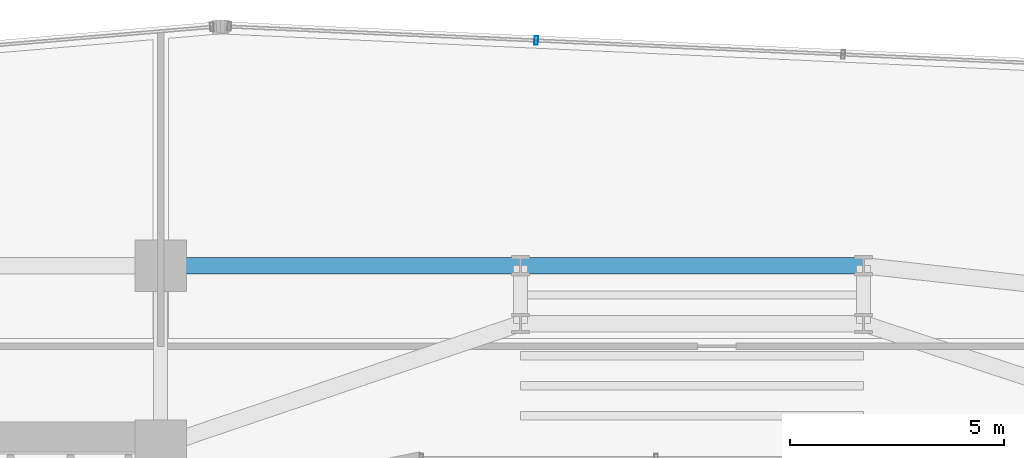
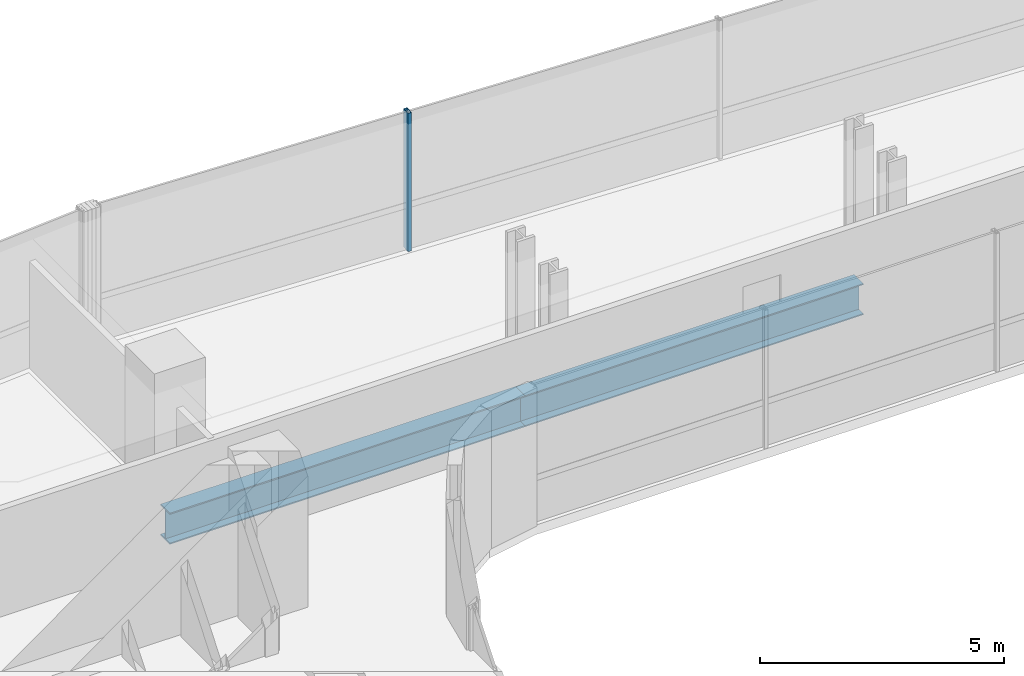
# One storey, part 21 of 35: 2 beams, 1 member, 1 element without a shape of its own.
"""IFC4 building model written with IfcOpenShell, lengths in metres."""

import ifcopenshell
import ifcopenshell.guid

model = None  # the IFC model being written
_history = None  # IfcOwnerHistory: only IFC2X3 demands one
_inside = {}  # id of a spatial element -> (the spatial element, [elements in it])
_under = {}  # id of a project, library or spatial element -> (it, [spatial elements below it])
_declared = {}  # id of a project -> (the project, [libraries it declares])
_typed = {}  # id of a type object -> (the type object, [elements of that type])
_made_of = {}  # id of a material, layer set ... -> (it, [elements and type objects made of it])


def new_model(schema):
    """Start an empty IFC model of exactly this schema.

    Asked for "IFC4X3", IfcOpenShell would pick the latest addendum, in which some entities
    have other attributes; the version numbers below select the first issue.
    IFC2X3 requires an IfcOwnerHistory on every rooted entity: one is made here for all.
    """
    global model, _history
    if schema == "IFC4X3":
        model = ifcopenshell.file(schema_version=(4, 3, 0, 0))
    else:
        model = ifcopenshell.file(schema=schema)
    _inside.clear()
    _under.clear()
    _declared.clear()
    _typed.clear()
    _made_of.clear()
    _history = None
    if model.schema == "IFC2X3":
        org = make("IfcOrganization", Name="unknown")
        user = make(
            "IfcPersonAndOrganization",
            ThePerson=make("IfcPerson", FamilyName="unknown"),
            TheOrganization=org,
        )
        app = make(
            "IfcApplication",
            ApplicationDeveloper=org,
            Version="unknown",
            ApplicationFullName="unknown",
            ApplicationIdentifier="unknown",
        )
        _history = make(
            "IfcOwnerHistory",
            OwningUser=user,
            OwningApplication=app,
            ChangeAction="ADDED",
            CreationDate=0,
        )
    return model


def make(cls, **values):
    """One entity of the class cls with the attributes given. An attribute that is None is left unset."""
    return model.create_entity(
        cls, **{name: value for name, value in values.items() if value is not None}
    )


def rooted(cls, **values):
    """An entity with a GlobalId (a new one), such as an element, a storey or a relation."""
    return make(cls, GlobalId=ifcopenshell.guid.new(), OwnerHistory=_history, **values)


def si_unit(unit_type, name, prefix=None):
    """IfcSIUnit, for example si_unit("LENGTHUNIT", "METRE", prefix="MILLI")."""
    return make("IfcSIUnit", UnitType=unit_type, Prefix=prefix, Name=name)


def assignment(units):
    """IfcUnitAssignment: the units of a project."""
    return None if units is None else make("IfcUnitAssignment", Units=units)


def point(xyz):
    """IfcCartesianPoint."""
    return None if xyz is None else make("IfcCartesianPoint", Coordinates=xyz)


def direction(xyz):
    """IfcDirection."""
    return None if xyz is None else make("IfcDirection", DirectionRatios=xyz)


def frame(location, z_axis=None, x_axis=None):
    """IfcAxis2Placement3D, a coordinate frame: its origin and axes. An axis left out is left unset."""
    return make(
        "IfcAxis2Placement3D",
        Location=point(location),
        Axis=direction(z_axis),
        RefDirection=direction(x_axis),
    )


def frame_2d(location, x_axis=None):
    """IfcAxis2Placement2D, a coordinate frame in the plane: its origin and x axis."""
    return make(
        "IfcAxis2Placement2D", Location=point(location), RefDirection=direction(x_axis)
    )


def origin():
    """The frame at (0, 0, 0) with its axes left unset."""
    return frame((0.0, 0.0, 0.0))


def origin_2d():
    """The frame at (0, 0) in the plane with its x axis left unset."""
    return frame_2d((0.0, 0.0))


def place(relative_to, where):
    """IfcLocalPlacement: puts the frame where relative to a parent placement (None: the world)."""
    return make(
        "IfcLocalPlacement", PlacementRelTo=relative_to, RelativePlacement=where
    )


def context(
    kind, dimensions, precision=None, world=None, true_north=None, identifier=None
):
    """IfcGeometricRepresentationContext, for example the 3D "Model" context."""
    return make(
        "IfcGeometricRepresentationContext",
        ContextIdentifier=identifier,
        ContextType=kind,
        CoordinateSpaceDimension=dimensions,
        Precision=precision,
        WorldCoordinateSystem=world,
        TrueNorth=true_north,
    )


def subcontext(parent, identifier, kind, view, scale=None):
    """IfcGeometricRepresentationSubContext, for example "Body" below "Model"."""
    return make(
        "IfcGeometricRepresentationSubContext",
        ContextIdentifier=identifier,
        ContextType=kind,
        ParentContext=parent,
        TargetScale=scale,
        TargetView=view,
    )


def project(units=None, contexts=None):
    """IfcProject with its units and contexts."""
    return rooted(
        "IfcProject",
        Name="project",
        RepresentationContexts=contexts,
        UnitsInContext=assignment(units),
    )


def spatial(cls, under=None, at=None, **own):
    """A site, building, storey or space (cls), placed at a placement, below another one or the project."""
    s = rooted(cls, ObjectPlacement=at, **own)
    if under is not None:
        _under.setdefault(under.id(), (under, []))[1].append(s)
    return s


def profile(cls, at=None, kind="AREA", **sizes):
    """A parametric profile (cls). Its sizes go by their IFC names, for example OverallWidth=200.0."""
    return make(cls, ProfileType=kind, Position=at, **sizes)


def hollow_rectangle(**sizes):
    """IfcRectangleHollowProfileDef."""
    return profile("IfcRectangleHollowProfileDef", **sizes)


def i_section(**sizes):
    """IfcIShapeProfileDef."""
    return profile("IfcIShapeProfileDef", **sizes)


def extrude(swept, where, along, depth):
    """IfcExtrudedAreaSolid: the profile swept, set in the frame where, extruded along a direction by depth."""
    return make(
        "IfcExtrudedAreaSolid",
        SweptArea=swept,
        Position=where,
        ExtrudedDirection=direction(along),
        Depth=depth,
    )


def shape(context_of_items, identifier, shape_type, items):
    """IfcShapeRepresentation: the items that make up one representation, for example the "Body"."""
    return make(
        "IfcShapeRepresentation",
        ContextOfItems=context_of_items,
        RepresentationIdentifier=identifier,
        RepresentationType=shape_type,
        Items=items,
    )


def source(mapping_origin, context_of_items, identifier, shape_type, items):
    """IfcRepresentationMap: a shape defined once, which mapped items show again and again."""
    return make(
        "IfcRepresentationMap",
        MappingOrigin=mapping_origin,
        MappedRepresentation=shape(context_of_items, identifier, shape_type, items),
    )


def transform(
    local_origin,
    x_axis=None,
    y_axis=None,
    z_axis=None,
    scale=None,
    scale2=None,
    scale3=None,
    uniform=True,
):
    """IfcCartesianTransformationOperator3D, or its non-uniform kind. x_axis, y_axis, z_axis: its Axis1, 2, 3."""
    if uniform:
        return make(
            "IfcCartesianTransformationOperator3D",
            Axis1=direction(x_axis),
            Axis2=direction(y_axis),
            LocalOrigin=point(local_origin),
            Scale=scale,
            Axis3=direction(z_axis),
        )
    return make(
        "IfcCartesianTransformationOperator3DnonUniform",
        Axis1=direction(x_axis),
        Axis2=direction(y_axis),
        LocalOrigin=point(local_origin),
        Scale=scale,
        Axis3=direction(z_axis),
        Scale2=scale2,
        Scale3=scale3,
    )


def mapped(mapping_source, mapping_target):
    """IfcMappedItem: shows the shape of a source again, moved by a transform."""
    return make(
        "IfcMappedItem", MappingSource=mapping_source, MappingTarget=mapping_target
    )


def material(Name=None, Category=None):
    """IfcMaterial."""
    return make("IfcMaterial", Name=Name, Category=Category)


def material_profile(
    of_material, cross_section, Name=None, Category=None, Priority=None
):
    """IfcMaterialProfile: a cross section and its material."""
    return make(
        "IfcMaterialProfile",
        Name=Name,
        Material=of_material,
        Profile=cross_section,
        Priority=Priority,
        Category=Category,
    )


def profile_set(profiles, Name=None, composite=None):
    """IfcMaterialProfileSet."""
    return make(
        "IfcMaterialProfileSet",
        Name=Name,
        MaterialProfiles=profiles,
        CompositeProfile=composite,
    )


def made_of(thing, what):
    """Note that an element or type object is made of a material, layer set ...; save() writes the relation."""
    if what is not None:
        _made_of.setdefault(what.id(), (what, []))[1].append(thing)
    return thing


def type_object(cls, material=None, **own):
    """A type object (cls), such as IfcWallType, which elements share."""
    return made_of(rooted(cls, **own), material)


def element(
    cls,
    number,
    at=None,
    inside=None,
    cuts=None,
    type_object=None,
    material=None,
    context=None,
    identifier="Body",
    shape_type=None,
    held_by="IfcProductDefinitionShape",
    body=None,
    shapes=None,
    **own,
):
    """One element of the class cls, such as IfcWall. Its Tag is "e" and its number.

    at: its placement. inside: the storey or other place that contains it. cuts: it is an
    opening in that element (IfcRelVoidsElement). A single representation is given by context,
    identifier, shape_type and body (its items); several are given by shapes. held_by: the class
    of the entity that holds the representations. save() writes the other relations.
    """
    e = rooted(cls, Tag="e%d" % number, ObjectPlacement=at, **own)
    if body is not None:
        shapes = [shape(context, identifier, shape_type, body)]
    if shapes is not None:
        e.Representation = make(held_by, Representations=shapes)
    if inside is not None:
        _inside.setdefault(inside.id(), (inside, []))[1].append(e)
    if cuts is not None:
        rooted(
            "IfcRelVoidsElement", RelatingBuildingElement=cuts, RelatedOpeningElement=e
        )
    if type_object is not None:
        _typed.setdefault(type_object.id(), (type_object, []))[1].append(e)
    return made_of(e, material)


def aggregate(whole, parts):
    """IfcRelAggregates: a whole, such as a stair, and the parts it consists of."""
    return rooted("IfcRelAggregates", RelatingObject=whole, RelatedObjects=parts)


def save(model, path):
    """Write the relations noted so far, then the file.

    IfcRelAggregates (storeys below a building ...), IfcRelContainedInSpatialStructure (elements
    in a storey), IfcRelDefinesByType, IfcRelAssociatesMaterial and IfcRelDeclares: one each for
    every whole, place, type object, material and project.
    """
    for whole, parts in _under.values():
        aggregate(whole, parts)
    for where, things in _inside.values():
        rooted(
            "IfcRelContainedInSpatialStructure",
            RelatedElements=things,
            RelatingStructure=where,
        )
    for kind, things in _typed.values():
        rooted("IfcRelDefinesByType", RelatedObjects=things, RelatingType=kind)
    for what, things in _made_of.values():
        rooted("IfcRelAssociatesMaterial", RelatedObjects=things, RelatingMaterial=what)
    for by, libraries in _declared.values():
        rooted("IfcRelDeclares", RelatingContext=by, RelatedDefinitions=libraries)
    model.write(path)


model = new_model("IFC4")

# Units and contexts
model_context = context("Model", 3, precision=1e-05, world=origin(), true_north=direction((0.0, 1.0)))
body_context = subcontext(model_context, "Body", "Model", "MODEL_VIEW")
ifc_project = project(units=[si_unit("LENGTHUNIT", "METRE"), si_unit("AREAUNIT", "SQUARE_METRE"), si_unit("VOLUMEUNIT", "CUBIC_METRE"), si_unit("PLANEANGLEUNIT", "RADIAN"), si_unit("MASSUNIT", "GRAM", prefix="KILO")], contexts=[model_context])

# Site, building, storey
site_placement = place(None, origin())
site = spatial("IfcSite", under=ifc_project, at=site_placement, CompositionType="ELEMENT")
building_placement = place(site_placement, origin())
building = spatial("IfcBuilding", under=site, at=building_placement, Name="Valdorenza Pilgrim Sanctuary Tower", CompositionType="ELEMENT")
storey_placement = place(building_placement, frame((0.0, 0.0, 124.199951171875)))
storey = spatial("IfcBuildingStorey", under=building, at=storey_placement, Name="L31", CompositionType="ELEMENT", Elevation=124.199951171875)

# Beams
ifc_material_1 = material(Name="Steel ASTM A992 Grade 50", Category="steel")
ifc_material_profile_1 = material_profile(ifc_material_1, i_section(OverallWidth=0.382080078125, OverallDepth=0.779052734375, WebThickness=0.01806640625, FlangeThickness=0.030029296875, at=origin_2d()), Name="W30X191")
ifc_profile_set_1 = profile_set([ifc_material_profile_1], Name="Steel ASTM A992 Grade 50")
beam_type = type_object("IfcBeamType", Name="STR-BM-GRD-W30", PredefinedType="BEAM", material=ifc_profile_set_1)
shared_shape_1 = source(origin(), body_context, "Body", "SweptSolid", [
    extrude(i_section(OverallWidth=0.382080078125, OverallDepth=0.779052734375, WebThickness=0.01806640625, FlangeThickness=0.030029296875, at=origin_2d()), origin(), (0.0, 0.0, 1.0), 8.0),
])
beam_1_placement = place(storey_placement, frame((-4.0, 14.800048828125, -0.62939453125), z_axis=(1.0, 0.0, 0.0), x_axis=(0.0, 1.0, 0.0)))
element("IfcBeam", 1, at=beam_1_placement, inside=storey, type_object=beam_type, Name="L31 Floor Girder KNK-G5", PredefinedType="BEAM", context=body_context, shape_type="MappedRepresentation", body=[
    mapped(shared_shape_1, transform((0.0, 0.0, 0.0), x_axis=(1.0, 0.0, 0.0), y_axis=(0.0, 1.0, 0.0), z_axis=(0.0, 0.0, 1.0), scale=1.0)),
])
shared_shape_2 = source(origin(), body_context, "Body", "SweptSolid", [
    extrude(i_section(OverallWidth=0.382080078125, OverallDepth=0.779052734375, WebThickness=0.01806640625, FlangeThickness=0.030029296875, at=origin_2d()), origin(), (0.0, 0.0, 1.0), 8.39990234375),
])
beam_2_placement = place(storey_placement, frame((-12.39990234375, 14.800048828125, -0.62939453125), z_axis=(1.0, 0.0, 0.0), x_axis=(0.0, 1.0, 0.0)))
element("IfcBeam", 2, at=beam_2_placement, inside=storey, type_object=beam_type, Name="L31 Floor Girder KNK-G4", PredefinedType="BEAM", context=body_context, shape_type="MappedRepresentation", body=[
    mapped(shared_shape_2, transform((0.0, 0.0, 0.0), x_axis=(1.0, 0.0, 0.0), y_axis=(0.0, 1.0, 0.0), z_axis=(0.0, 0.0, 1.0), scale=1.0)),
])

# Curtain wall, member
ifc_material_2 = material(Name="Curtain-wall IGU glazing", Category="glass")
curtain_wall_type = type_object("IfcCurtainWallType", Name="CW-SYS-02", PredefinedType="NOTDEFINED", material=ifc_material_2)
curtain_wall_placement = place(storey_placement, origin())
curtain_wall = element("IfcCurtainWall", 3, at=curtain_wall_placement, inside=storey, type_object=curtain_wall_type, Name="L31 Curtain Wall CW-L31-1-11", PredefinedType="NOTDEFINED")
ifc_material_3 = material(Name="Anodised aluminium AW-6060", Category="aluminium")
ifc_material_profile_2 = material_profile(ifc_material_3, hollow_rectangle(XDim=0.0849609375, YDim=0.199951171875, WallThickness=0.0048828125, at=origin_2d()), Name="ALU-M 200x85x5")
ifc_profile_set_2 = profile_set([ifc_material_profile_2], Name="Anodised aluminium AW-6060")
member_type = type_object("IfcMemberType", Name="CW-MUL-02", PredefinedType="MULLION", material=ifc_profile_set_2)
shared_shape_3 = source(origin(), body_context, "Body", "SweptSolid", [
    extrude(hollow_rectangle(XDim=0.0849609375, YDim=0.199951171875, WallThickness=0.0048828125, at=origin_2d()), origin(), (0.0, 0.0, 1.0), 3.4599609375),
])
member_placement = place(storey_placement, frame((-3.6337890625, 20.05517578125, 0.0), z_axis=(0.0, 0.0, 1.0), x_axis=(0.998968193221, -0.045415294044, 0.0)))
member = element("IfcMember", 4, at=member_placement, type_object=member_type, Name="CW-L31-1-11 Mullion 2", PredefinedType="MULLION", context=body_context, shape_type="MappedRepresentation", body=[
    mapped(shared_shape_3, transform((0.0, 0.0, 0.0), x_axis=(1.0, 0.0, 0.0), y_axis=(0.0, 1.0, 0.0), z_axis=(0.0, 0.0, 1.0), scale=1.0)),
])
aggregate(curtain_wall, [member])

save(model, "model.ifc")
